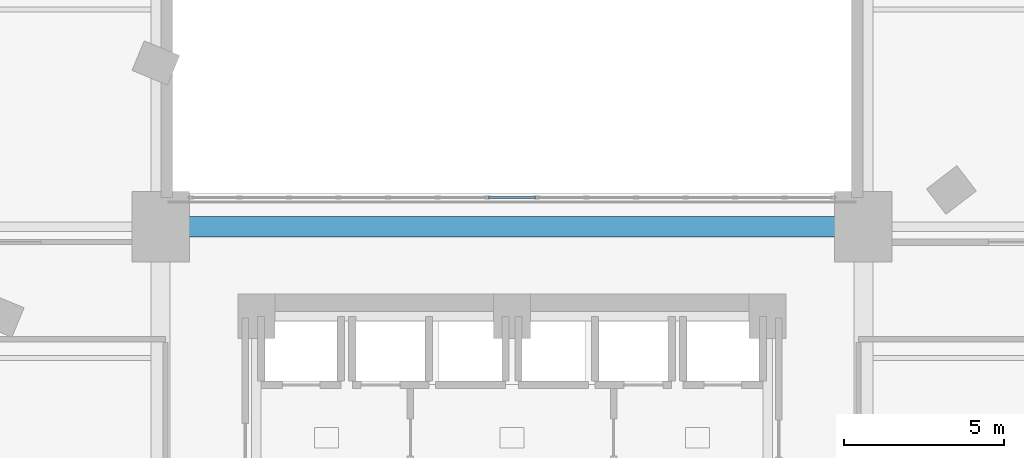
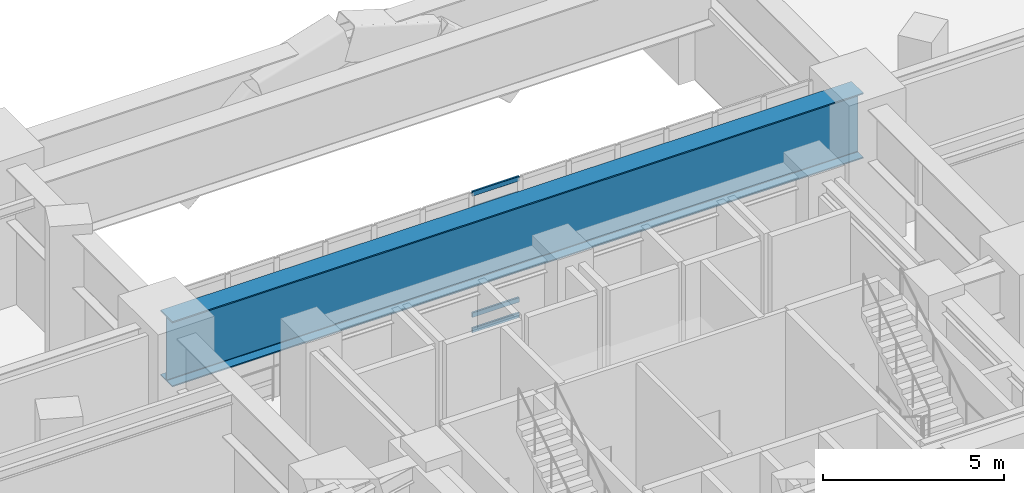
# One storey, part 11 of 25: 4 members, 1 beam, 1 element without a shape of its own.
"""IFC4 building model written with IfcOpenShell, lengths in metres."""

from ifc_helpers import new_model, si_unit, direction, frame, origin, origin_2d, place, context, subcontext, project, spatial, hollow_rectangle, i_section, extrude, material, layer, layer_set, material_profile, profile_set, type_object, element, aggregate, save


model = new_model("IFC4")

# Units and contexts
model_context = context("Model", 3, precision=1e-05, world=origin(), true_north=direction((0.0, 1.0)))
body_context = subcontext(model_context, "Body", "Model", "MODEL_VIEW")
ifc_project = project(units=[si_unit("LENGTHUNIT", "METRE"), si_unit("AREAUNIT", "SQUARE_METRE"), si_unit("VOLUMEUNIT", "CUBIC_METRE"), si_unit("PLANEANGLEUNIT", "RADIAN"), si_unit("MASSUNIT", "GRAM", prefix="KILO")], contexts=[model_context])

# Site, building, storey
site_placement = place(None, origin())
site = spatial("IfcSite", under=ifc_project, at=site_placement, CompositionType="ELEMENT")
building_placement = place(site_placement, origin())
building = spatial("IfcBuilding", under=site, at=building_placement, Name="Ndelora Gate Hotel", CompositionType="ELEMENT")
storey_placement = place(building_placement, frame((0.0, 0.0, 11.0)))
storey = spatial("IfcBuildingStorey", under=building, at=storey_placement, Name="L02", CompositionType="ELEMENT", Elevation=11.0)

# Beam
ifc_material_1 = material(Name="Steel S460", Category="steel")
ifc_material_profile_1 = material_profile(ifc_material_1, i_section(OverallWidth=0.64990234375, OverallDepth=2.199951171875, WebThickness=0.030029296875, FlangeThickness=0.0400390625, FilletRadius=0.02392578125, at=origin_2d()), Name="PG 2200x650x40")
ifc_profile_set_1 = profile_set([ifc_material_profile_1], Name="Steel S460")
beam_type = type_object("IfcBeamType", Name="BM-TR-2200", PredefinedType="BEAM", material=ifc_profile_set_1)
beam_placement = place(storey_placement, frame((-11.0, 9.39990234375, 3.56005859375), z_axis=(1.0, 0.0, 0.0), x_axis=(0.0, 1.0, 0.0)))
element("IfcBeam", 1, at=beam_placement, inside=storey, type_object=beam_type, Name="L02 structural beam TG-0", PredefinedType="BEAM", context=body_context, shape_type="SweptSolid", body=[
    extrude(i_section(OverallWidth=0.64990234375, OverallDepth=2.199951171875, WebThickness=0.030029296875, FlangeThickness=0.0400390625, FilletRadius=0.02392578125, at=origin_2d()), origin(), (0.0, 0.0, 1.0), 22.0),
])

# Curtain wall, members
ifc_material_2 = material(Name="Bronze Anodised Unitised Aluminium and Low-E Glass", Category="aluminium")
ifc_layer = layer(ifc_material_2, 0.239990234375)
ifc_layer_set = layer_set([ifc_layer], Name="Bronze Anodised Unitised Aluminium and Low-E Glass")
curtain_wall_type = type_object("IfcCurtainWallType", Name="CW-SYS-1", PredefinedType="NOTDEFINED", material=ifc_layer_set)
curtain_wall_placement = place(storey_placement, origin())
curtain_wall = element("IfcCurtainWall", 2, at=curtain_wall_placement, inside=storey, type_object=curtain_wall_type, Name="L02 North Portal Arch Concourse Curtain Wall CW1", PredefinedType="NOTDEFINED")
ifc_material_3 = material(Name="Bronze Anodised Aluminium 6063-T6", Category="aluminium")
ifc_material_profile_2 = material_profile(ifc_material_3, hollow_rectangle(XDim=0.06494140625, YDim=0.159912109375, WallThickness=0.00390625, InnerFilletRadius=0.00390625, OuterFilletRadius=0.008056640625, at=origin_2d()), Name="ALU 160x65x4")
ifc_profile_set_2 = profile_set([ifc_material_profile_2], Name="Bronze Anodised Aluminium 6063-T6")
member_type = type_object("IfcMemberType", Name="MB-CW-TRN150", PredefinedType="USERDEFINED", material=ifc_profile_set_2)
member_1_placement = place(storey_placement, frame((0.746337890625, 10.320068359375, 0.032470703125), z_axis=(-1.0, 0.0, 0.0), x_axis=(0.0, -1.0, 0.0)))
member_1 = element("IfcMember", 3, at=member_1_placement, type_object=member_type, Name="CW1 transom 7.1", ObjectType="TRANSOM", PredefinedType="USERDEFINED", context=body_context, shape_type="SweptSolid", body=[
    extrude(hollow_rectangle(XDim=0.06494140625, YDim=0.159912109375, WallThickness=0.00390625, InnerFilletRadius=0.00390625, OuterFilletRadius=0.008056640625, at=origin_2d()), origin(), (0.0, 0.0, 1.0), 1.49267578125),
])
member_2_placement = place(storey_placement, frame((0.746337890625, 10.320068359375, 0.550048828125), z_axis=(-1.0, 0.0, 0.0), x_axis=(0.0, -1.0, 0.0)))
member_2 = element("IfcMember", 4, at=member_2_placement, type_object=member_type, Name="CW1 transom 7.2", ObjectType="TRANSOM", PredefinedType="USERDEFINED", context=body_context, shape_type="SweptSolid", body=[
    extrude(hollow_rectangle(XDim=0.06494140625, YDim=0.159912109375, WallThickness=0.00390625, InnerFilletRadius=0.00390625, OuterFilletRadius=0.008056640625, at=origin_2d()), origin(), (0.0, 0.0, 1.0), 1.49267578125),
])
member_3_placement = place(storey_placement, frame((0.746337890625, 10.320068359375, 4.110107421875), z_axis=(-1.0, 0.0, 0.0), x_axis=(0.0, -1.0, 0.0)))
member_3 = element("IfcMember", 5, at=member_3_placement, type_object=member_type, Name="CW1 transom 7.3", ObjectType="TRANSOM", PredefinedType="USERDEFINED", context=body_context, shape_type="SweptSolid", body=[
    extrude(hollow_rectangle(XDim=0.06494140625, YDim=0.159912109375, WallThickness=0.00390625, InnerFilletRadius=0.00390625, OuterFilletRadius=0.008056640625, at=origin_2d()), origin(), (0.0, 0.0, 1.0), 1.49267578125),
])
member_4_placement = place(storey_placement, frame((0.746337890625, 10.320068359375, 4.62744140625), z_axis=(-1.0, 0.0, 0.0), x_axis=(0.0, -1.0, 0.0)))
member_4 = element("IfcMember", 6, at=member_4_placement, type_object=member_type, Name="CW1 transom 7.4", ObjectType="TRANSOM", PredefinedType="USERDEFINED", context=body_context, shape_type="SweptSolid", body=[
    extrude(hollow_rectangle(XDim=0.06494140625, YDim=0.159912109375, WallThickness=0.00390625, InnerFilletRadius=0.00390625, OuterFilletRadius=0.008056640625, at=origin_2d()), origin(), (0.0, 0.0, 1.0), 1.49267578125),
])
aggregate(curtain_wall, [member_1, member_2, member_3, member_4])

save(model, "model.ifc")
